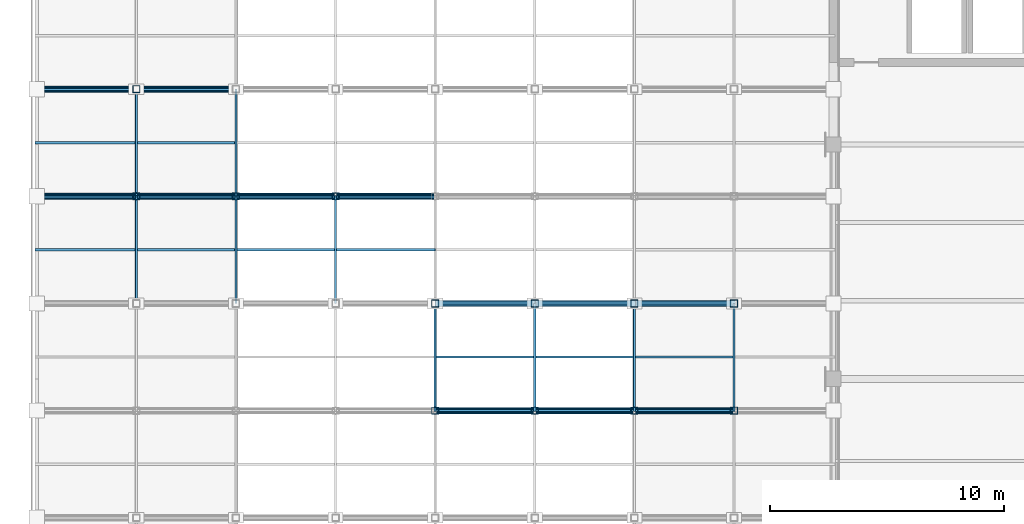
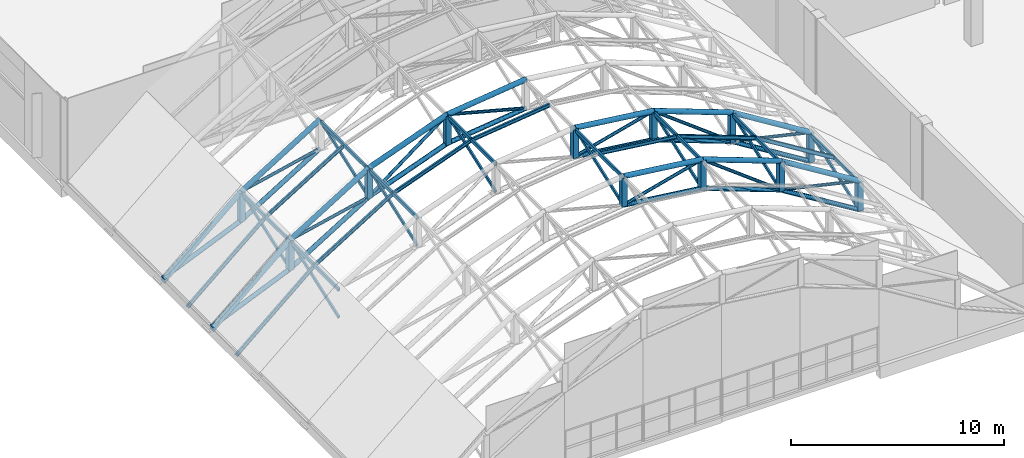
# One storey, part 14 of 86: 75 members.
"""IFC4 building model written with IfcOpenShell, lengths in metres."""

from ifc_helpers import new_model, si_unit, direction, frame, origin, origin_2d, place, context, subcontext, project, spatial, hollow_rectangle, hollow_circle, i_section, extrude, material, material_profile, profile_set, type_object, element, save


model = new_model("IFC4")

# Units and contexts
model_context = context("Model", 3, precision=1e-05, world=origin(), true_north=direction((0.0, 1.0)))
body_context = subcontext(model_context, "Body", "Model", "MODEL_VIEW")
ifc_project = project(units=[si_unit("LENGTHUNIT", "METRE"), si_unit("AREAUNIT", "SQUARE_METRE"), si_unit("VOLUMEUNIT", "CUBIC_METRE"), si_unit("PLANEANGLEUNIT", "RADIAN"), si_unit("MASSUNIT", "GRAM", prefix="KILO")], contexts=[model_context])

# Site, building, storey
site_placement = place(None, origin())
site = spatial("IfcSite", under=ifc_project, at=site_placement, CompositionType="ELEMENT")
building_placement = place(site_placement, origin())
building = spatial("IfcBuilding", under=site, at=building_placement, Name="Solvikara Media Centre", CompositionType="ELEMENT")
storey_placement = place(building_placement, frame((0.0, 0.0, 15.0)))
storey = spatial("IfcBuildingStorey", under=building, at=storey_placement, Name="L03", CompositionType="ELEMENT", Elevation=15.0)

# Members
ifc_material = material(Name="Steel S355JR", Category="steel")
ifc_material_profile_1 = material_profile(ifc_material, hollow_circle(Radius=0.136474609375, WallThickness=0.010009765625, at=origin_2d()), Name="CHS 273x10")
ifc_profile_set_1 = profile_set([ifc_material_profile_1], Name="Steel S355JR")
member_type_1 = type_object("IfcMemberType", Name="MB-03", PredefinedType="CHORD", material=ifc_profile_set_1)
member_1_placement = place(storey_placement, frame((17.0, 9.14306640625, 8.10498046875), z_axis=(0.992459240716, 0.0, -0.122575101536), x_axis=(0.0, 1.0, 0.0)))
element("IfcMember", 1, at=member_1_placement, inside=storey, type_object=member_type_1, Name="Space Frame Vault Chord GC-TC-02-04", PredefinedType="CHORD", context=body_context, shape_type="SweptSolid", body=[
    extrude(hollow_circle(Radius=0.136474609375, WallThickness=0.010009765625, at=origin_2d()), origin(), (0.0, 0.0, 1.0), 4.2822265625),
])
member_2_placement = place(storey_placement, frame((21.25, 9.14306640625, 7.580078125), z_axis=(0.937668166589, 0.0, -0.347531882516), x_axis=(0.0, 1.0, 0.0)))
element("IfcMember", 2, at=member_2_placement, inside=storey, type_object=member_type_1, Name="Space Frame Vault Chord GC-TC-02-05", PredefinedType="CHORD", context=body_context, shape_type="SweptSolid", body=[
    extrude(hollow_circle(Radius=0.136474609375, WallThickness=0.010009765625, at=origin_2d()), origin(), (0.0, 0.0, 1.0), 4.532470703125),
])
member_3_placement = place(storey_placement, frame((25.5, 9.14306640625, 6.0048828125), z_axis=(0.850797997359, 0.0, -0.525492880722), x_axis=(0.0, 1.0, 0.0)))
element("IfcMember", 3, at=member_3_placement, inside=storey, type_object=member_type_1, Name="Space Frame Vault Chord GC-TC-02-06", PredefinedType="CHORD", context=body_context, shape_type="SweptSolid", body=[
    extrude(hollow_circle(Radius=0.136474609375, WallThickness=0.010009765625, at=origin_2d()), origin(), (0.0, 0.0, 1.0), 4.995361328125),
])
member_4_placement = place(storey_placement, frame((17.0, 13.714111328125, 8.10498046875), z_axis=(0.992459240716, 0.0, -0.122575101536), x_axis=(0.0, 1.0, 0.0)))
element("IfcMember", 4, at=member_4_placement, inside=storey, type_object=member_type_1, Name="Space Frame Vault Chord GC-TC-03-04", PredefinedType="CHORD", context=body_context, shape_type="SweptSolid", body=[
    extrude(hollow_circle(Radius=0.136474609375, WallThickness=0.010009765625, at=origin_2d()), origin(), (0.0, 0.0, 1.0), 4.2822265625),
])
member_5_placement = place(storey_placement, frame((21.25, 13.714111328125, 7.580078125), z_axis=(0.937668166589, 0.0, -0.347531882516), x_axis=(0.0, 1.0, 0.0)))
element("IfcMember", 5, at=member_5_placement, inside=storey, type_object=member_type_1, Name="Space Frame Vault Chord GC-TC-03-05", PredefinedType="CHORD", context=body_context, shape_type="SweptSolid", body=[
    extrude(hollow_circle(Radius=0.136474609375, WallThickness=0.010009765625, at=origin_2d()), origin(), (0.0, 0.0, 1.0), 4.532470703125),
])
member_6_placement = place(storey_placement, frame((25.5, 13.714111328125, 6.0048828125), z_axis=(0.850797997359, 0.0, -0.525492880722), x_axis=(0.0, 1.0, 0.0)))
element("IfcMember", 6, at=member_6_placement, inside=storey, type_object=member_type_1, Name="Space Frame Vault Chord GC-TC-03-06", PredefinedType="CHORD", context=body_context, shape_type="SweptSolid", body=[
    extrude(hollow_circle(Radius=0.136474609375, WallThickness=0.010009765625, at=origin_2d()), origin(), (0.0, 0.0, 1.0), 4.995361328125),
])
member_7_placement = place(storey_placement, frame((0.0, 18.285888671875, -0.294921875), z_axis=(0.756439869263, 0.0, 0.654063241736), x_axis=(0.0, 1.0, 0.0)))
element("IfcMember", 7, at=member_7_placement, inside=storey, type_object=member_type_1, Name="Space Frame Vault Chord GC-TC-04-00", PredefinedType="CHORD", context=body_context, shape_type="SweptSolid", body=[
    extrude(hollow_circle(Radius=0.136474609375, WallThickness=0.010009765625, at=origin_2d()), origin(), (0.0, 0.0, 1.0), 5.618408203125),
])
member_8_placement = place(storey_placement, frame((4.25, 18.285888671875, 3.3798828125), z_axis=(0.850797997359, 0.0, 0.525492880722), x_axis=(0.0, 1.0, 0.0)))
element("IfcMember", 8, at=member_8_placement, inside=storey, type_object=member_type_1, Name="Space Frame Vault Chord GC-TC-04-01", PredefinedType="CHORD", context=body_context, shape_type="SweptSolid", body=[
    extrude(hollow_circle(Radius=0.136474609375, WallThickness=0.010009765625, at=origin_2d()), origin(), (0.0, 0.0, 1.0), 4.995361328125),
])
member_9_placement = place(storey_placement, frame((8.5, 18.285888671875, 6.0048828125), z_axis=(0.937668166589, 0.0, 0.347531882516), x_axis=(0.0, 1.0, 0.0)))
element("IfcMember", 9, at=member_9_placement, inside=storey, type_object=member_type_1, Name="Space Frame Vault Chord GC-TC-04-02", PredefinedType="CHORD", context=body_context, shape_type="SweptSolid", body=[
    extrude(hollow_circle(Radius=0.136474609375, WallThickness=0.010009765625, at=origin_2d()), origin(), (0.0, 0.0, 1.0), 4.532470703125),
])
member_10_placement = place(storey_placement, frame((12.75, 18.285888671875, 7.580078125), z_axis=(0.992459240716, 0.0, 0.122575101536), x_axis=(0.0, 1.0, 0.0)))
element("IfcMember", 10, at=member_10_placement, inside=storey, type_object=member_type_1, Name="Space Frame Vault Chord GC-TC-04-03", PredefinedType="CHORD", context=body_context, shape_type="SweptSolid", body=[
    extrude(hollow_circle(Radius=0.136474609375, WallThickness=0.010009765625, at=origin_2d()), origin(), (0.0, 0.0, 1.0), 4.2822265625),
])
member_11_placement = place(storey_placement, frame((0.0, 22.85693359375, -0.294921875), z_axis=(0.756439869263, 0.0, 0.654063241736), x_axis=(0.0, 1.0, 0.0)))
element("IfcMember", 11, at=member_11_placement, inside=storey, type_object=member_type_1, Name="Space Frame Vault Chord GC-TC-05-00", PredefinedType="CHORD", context=body_context, shape_type="SweptSolid", body=[
    extrude(hollow_circle(Radius=0.136474609375, WallThickness=0.010009765625, at=origin_2d()), origin(), (0.0, 0.0, 1.0), 5.618408203125),
])
member_12_placement = place(storey_placement, frame((4.25, 22.85693359375, 3.3798828125), z_axis=(0.850797997359, 0.0, 0.525492880722), x_axis=(0.0, 1.0, 0.0)))
element("IfcMember", 12, at=member_12_placement, inside=storey, type_object=member_type_1, Name="Space Frame Vault Chord GC-TC-05-01", PredefinedType="CHORD", context=body_context, shape_type="SweptSolid", body=[
    extrude(hollow_circle(Radius=0.136474609375, WallThickness=0.010009765625, at=origin_2d()), origin(), (0.0, 0.0, 1.0), 4.995361328125),
])
ifc_material_profile_2 = material_profile(ifc_material, hollow_circle(Radius=0.122314453125, WallThickness=0.010009765625, at=origin_2d()), Name="CHS 244.5x10")
ifc_profile_set_2 = profile_set([ifc_material_profile_2], Name="Steel S355JR")
member_type_2 = type_object("IfcMemberType", Name="MB-04", PredefinedType="CHORD", material=ifc_profile_set_2)
member_13_placement = place(storey_placement, frame((17.0, 9.14306640625, 6.455078125), z_axis=(0.992452303661, 0.0, -0.122631256042), x_axis=(0.0, 1.0, 0.0)))
element("IfcMember", 13, at=member_13_placement, inside=storey, type_object=member_type_2, Name="GC-BC-02-04", PredefinedType="CHORD", context=body_context, shape_type="SweptSolid", body=[
    extrude(hollow_circle(Radius=0.122314453125, WallThickness=0.010009765625, at=origin_2d()), origin(), (0.0, 0.0, 1.0), 4.2822265625),
])
member_14_placement = place(storey_placement, frame((21.25, 9.14306640625, 5.929931640625), z_axis=(0.93768571843, 0.0, -0.34748452261), x_axis=(0.0, 1.0, 0.0)))
element("IfcMember", 14, at=member_14_placement, inside=storey, type_object=member_type_2, Name="GC-BC-02-05", PredefinedType="CHORD", context=body_context, shape_type="SweptSolid", body=[
    extrude(hollow_circle(Radius=0.122314453125, WallThickness=0.010009765625, at=origin_2d()), origin(), (0.0, 0.0, 1.0), 4.532470703125),
])
member_15_placement = place(storey_placement, frame((25.5, 9.14306640625, 4.35498046875), z_axis=(0.850797997359, 0.0, -0.525492880722), x_axis=(0.0, 1.0, 0.0)))
element("IfcMember", 15, at=member_15_placement, inside=storey, type_object=member_type_2, Name="GC-BC-02-06", PredefinedType="CHORD", context=body_context, shape_type="SweptSolid", body=[
    extrude(hollow_circle(Radius=0.122314453125, WallThickness=0.010009765625, at=origin_2d()), origin(), (0.0, 0.0, 1.0), 4.995361328125),
])
member_16_placement = place(storey_placement, frame((17.0, 13.714111328125, 6.455078125), z_axis=(0.992452303661, 0.0, -0.122631256042), x_axis=(0.0, 1.0, 0.0)))
element("IfcMember", 16, at=member_16_placement, inside=storey, type_object=member_type_2, Name="GC-BC-03-04", PredefinedType="CHORD", context=body_context, shape_type="SweptSolid", body=[
    extrude(hollow_circle(Radius=0.122314453125, WallThickness=0.010009765625, at=origin_2d()), origin(), (0.0, 0.0, 1.0), 4.2822265625),
])
member_17_placement = place(storey_placement, frame((21.25, 13.714111328125, 5.929931640625), z_axis=(0.93768571843, 0.0, -0.34748452261), x_axis=(0.0, 1.0, 0.0)))
element("IfcMember", 17, at=member_17_placement, inside=storey, type_object=member_type_2, Name="GC-BC-03-05", PredefinedType="CHORD", context=body_context, shape_type="SweptSolid", body=[
    extrude(hollow_circle(Radius=0.122314453125, WallThickness=0.010009765625, at=origin_2d()), origin(), (0.0, 0.0, 1.0), 4.532470703125),
])
member_18_placement = place(storey_placement, frame((25.5, 13.714111328125, 4.35498046875), z_axis=(0.850797997359, 0.0, -0.525492880722), x_axis=(0.0, 1.0, 0.0)))
element("IfcMember", 18, at=member_18_placement, inside=storey, type_object=member_type_2, Name="GC-BC-03-06", PredefinedType="CHORD", context=body_context, shape_type="SweptSolid", body=[
    extrude(hollow_circle(Radius=0.122314453125, WallThickness=0.010009765625, at=origin_2d()), origin(), (0.0, 0.0, 1.0), 4.995361328125),
])
member_19_placement = place(storey_placement, frame((0.0, 18.285888671875, -0.10009765625), z_axis=(0.918466874624, 0.0, 0.395497914303), x_axis=(0.0, 1.0, 0.0)))
element("IfcMember", 19, at=member_19_placement, inside=storey, type_object=member_type_2, Name="GC-BC-04-00", PredefinedType="CHORD", context=body_context, shape_type="SweptSolid", body=[
    extrude(hollow_circle(Radius=0.122314453125, WallThickness=0.010009765625, at=origin_2d()), origin(), (0.0, 0.0, 1.0), 4.627197265625),
])
member_20_placement = place(storey_placement, frame((4.25, 18.285888671875, 1.72998046875), z_axis=(0.850797997359, 0.0, 0.525492880722), x_axis=(0.0, 1.0, 0.0)))
element("IfcMember", 20, at=member_20_placement, inside=storey, type_object=member_type_2, Name="GC-BC-04-01", PredefinedType="CHORD", context=body_context, shape_type="SweptSolid", body=[
    extrude(hollow_circle(Radius=0.122314453125, WallThickness=0.010009765625, at=origin_2d()), origin(), (0.0, 0.0, 1.0), 4.995361328125),
])
member_21_placement = place(storey_placement, frame((8.5, 18.285888671875, 4.35498046875), z_axis=(0.93768571843, 0.0, 0.34748452261), x_axis=(0.0, 1.0, 0.0)))
element("IfcMember", 21, at=member_21_placement, inside=storey, type_object=member_type_2, Name="GC-BC-04-02", PredefinedType="CHORD", context=body_context, shape_type="SweptSolid", body=[
    extrude(hollow_circle(Radius=0.122314453125, WallThickness=0.010009765625, at=origin_2d()), origin(), (0.0, 0.0, 1.0), 4.532470703125),
])
member_22_placement = place(storey_placement, frame((12.75, 18.285888671875, 5.929931640625), z_axis=(0.992452303661, 0.0, 0.122631256042), x_axis=(0.0, 1.0, 0.0)))
element("IfcMember", 22, at=member_22_placement, inside=storey, type_object=member_type_2, Name="GC-BC-04-03", PredefinedType="CHORD", context=body_context, shape_type="SweptSolid", body=[
    extrude(hollow_circle(Radius=0.122314453125, WallThickness=0.010009765625, at=origin_2d()), origin(), (0.0, 0.0, 1.0), 4.2822265625),
])
member_23_placement = place(storey_placement, frame((0.0, 22.85693359375, -0.10009765625), z_axis=(0.918466874624, 0.0, 0.395497914303), x_axis=(0.0, 1.0, 0.0)))
element("IfcMember", 23, at=member_23_placement, inside=storey, type_object=member_type_2, Name="GC-BC-05-00", PredefinedType="CHORD", context=body_context, shape_type="SweptSolid", body=[
    extrude(hollow_circle(Radius=0.122314453125, WallThickness=0.010009765625, at=origin_2d()), origin(), (0.0, 0.0, 1.0), 4.627197265625),
])
member_24_placement = place(storey_placement, frame((4.25, 22.85693359375, 1.72998046875), z_axis=(0.850797997359, 0.0, 0.525492880722), x_axis=(0.0, 1.0, 0.0)))
element("IfcMember", 24, at=member_24_placement, inside=storey, type_object=member_type_2, Name="GC-BC-05-01", PredefinedType="CHORD", context=body_context, shape_type="SweptSolid", body=[
    extrude(hollow_circle(Radius=0.122314453125, WallThickness=0.010009765625, at=origin_2d()), origin(), (0.0, 0.0, 1.0), 4.995361328125),
])
ifc_material_profile_3 = material_profile(ifc_material, hollow_circle(Radius=0.084228515625, WallThickness=0.007080078125, at=origin_2d()), Name="CHS 168.3x7.1")
ifc_profile_set_3 = profile_set([ifc_material_profile_3], Name="Steel S355JR")
member_type_3 = type_object("IfcMemberType", Name="MB-07", PredefinedType="BRACE", material=ifc_profile_set_3)
member_25_placement = place(storey_placement, frame((17.0, 9.14306640625, 6.455078125), z_axis=(0.966705227862, 0.0, 0.255892560316), x_axis=(0.0, 1.0, 0.0)))
element("IfcMember", 25, at=member_25_placement, inside=storey, type_object=member_type_3, Name="GC-DG-02-04", PredefinedType="BRACE", context=body_context, shape_type="SweptSolid", body=[
    extrude(hollow_circle(Radius=0.084228515625, WallThickness=0.007080078125, at=origin_2d()), origin(), (0.0, 0.0, 1.0), 4.396484375),
])
member_26_placement = place(storey_placement, frame((21.25, 9.14306640625, 7.580078125), z_axis=(0.796604645228, 0.0, -0.604500652772), x_axis=(0.0, 1.0, 0.0)))
element("IfcMember", 26, at=member_26_placement, inside=storey, type_object=member_type_3, Name="GC-DG-02-05", PredefinedType="BRACE", context=body_context, shape_type="SweptSolid", body=[
    extrude(hollow_circle(Radius=0.084228515625, WallThickness=0.007080078125, at=origin_2d()), origin(), (0.0, 0.0, 1.0), 5.335205078125),
])
member_27_placement = place(storey_placement, frame((25.5, 9.14306640625, 4.35498046875), z_axis=(0.974675396372, 0.0, -0.223624398731), x_axis=(0.0, 1.0, 0.0)))
element("IfcMember", 27, at=member_27_placement, inside=storey, type_object=member_type_3, Name="GC-DG-02-06", PredefinedType="BRACE", context=body_context, shape_type="SweptSolid", body=[
    extrude(hollow_circle(Radius=0.084228515625, WallThickness=0.007080078125, at=origin_2d()), origin(), (0.0, 0.0, 1.0), 4.3603515625),
])
member_28_placement = place(storey_placement, frame((17.0, 13.714111328125, 6.455078125), z_axis=(0.966705227862, 0.0, 0.255892560316), x_axis=(0.0, 1.0, 0.0)))
element("IfcMember", 28, at=member_28_placement, inside=storey, type_object=member_type_3, Name="GC-DG-03-04", PredefinedType="BRACE", context=body_context, shape_type="SweptSolid", body=[
    extrude(hollow_circle(Radius=0.084228515625, WallThickness=0.007080078125, at=origin_2d()), origin(), (0.0, 0.0, 1.0), 4.396484375),
])
member_29_placement = place(storey_placement, frame((21.25, 13.714111328125, 7.580078125), z_axis=(0.796604645228, 0.0, -0.604500652772), x_axis=(0.0, 1.0, 0.0)))
element("IfcMember", 29, at=member_29_placement, inside=storey, type_object=member_type_3, Name="GC-DG-03-05", PredefinedType="BRACE", context=body_context, shape_type="SweptSolid", body=[
    extrude(hollow_circle(Radius=0.084228515625, WallThickness=0.007080078125, at=origin_2d()), origin(), (0.0, 0.0, 1.0), 5.335205078125),
])
member_30_placement = place(storey_placement, frame((25.5, 13.714111328125, 4.35498046875), z_axis=(0.974675396372, 0.0, -0.223624398731), x_axis=(0.0, 1.0, 0.0)))
element("IfcMember", 30, at=member_30_placement, inside=storey, type_object=member_type_3, Name="GC-DG-03-06", PredefinedType="BRACE", context=body_context, shape_type="SweptSolid", body=[
    extrude(hollow_circle(Radius=0.084228515625, WallThickness=0.007080078125, at=origin_2d()), origin(), (0.0, 0.0, 1.0), 4.3603515625),
])
member_31_placement = place(storey_placement, frame((0.0, 18.285888671875, -0.10009765625), z_axis=(0.773715650361, 0.0, 0.633533023911), x_axis=(0.0, 1.0, 0.0)))
element("IfcMember", 31, at=member_31_placement, inside=storey, type_object=member_type_3, Name="GC-DG-04-00", PredefinedType="BRACE", context=body_context, shape_type="SweptSolid", body=[
    extrude(hollow_circle(Radius=0.084228515625, WallThickness=0.007080078125, at=origin_2d()), origin(), (0.0, 0.0, 1.0), 5.492919921875),
])
member_32_placement = place(storey_placement, frame((4.25, 18.285888671875, 3.3798828125), z_axis=(0.974675396372, 0.0, 0.223624398731), x_axis=(0.0, 1.0, 0.0)))
element("IfcMember", 32, at=member_32_placement, inside=storey, type_object=member_type_3, Name="GC-DG-04-01", PredefinedType="BRACE", context=body_context, shape_type="SweptSolid", body=[
    extrude(hollow_circle(Radius=0.084228515625, WallThickness=0.007080078125, at=origin_2d()), origin(), (0.0, 0.0, 1.0), 4.3603515625),
])
member_33_placement = place(storey_placement, frame((8.5, 18.285888671875, 4.35498046875), z_axis=(0.796604645228, 0.0, 0.604500652772), x_axis=(0.0, 1.0, 0.0)))
element("IfcMember", 33, at=member_33_placement, inside=storey, type_object=member_type_3, Name="GC-DG-04-02", PredefinedType="BRACE", context=body_context, shape_type="SweptSolid", body=[
    extrude(hollow_circle(Radius=0.084228515625, WallThickness=0.007080078125, at=origin_2d()), origin(), (0.0, 0.0, 1.0), 5.335205078125),
])
member_34_placement = place(storey_placement, frame((12.75, 18.285888671875, 7.580078125), z_axis=(0.966705227862, 0.0, -0.255892560316), x_axis=(0.0, 1.0, 0.0)))
element("IfcMember", 34, at=member_34_placement, inside=storey, type_object=member_type_3, Name="GC-DG-04-03", PredefinedType="BRACE", context=body_context, shape_type="SweptSolid", body=[
    extrude(hollow_circle(Radius=0.084228515625, WallThickness=0.007080078125, at=origin_2d()), origin(), (0.0, 0.0, 1.0), 4.396484375),
])
member_35_placement = place(storey_placement, frame((0.0, 22.85693359375, -0.10009765625), z_axis=(0.773715650361, 0.0, 0.633533023911), x_axis=(0.0, 1.0, 0.0)))
element("IfcMember", 35, at=member_35_placement, inside=storey, type_object=member_type_3, Name="GC-DG-05-00", PredefinedType="BRACE", context=body_context, shape_type="SweptSolid", body=[
    extrude(hollow_circle(Radius=0.084228515625, WallThickness=0.007080078125, at=origin_2d()), origin(), (0.0, 0.0, 1.0), 5.492919921875),
])
member_36_placement = place(storey_placement, frame((4.25, 22.85693359375, 3.3798828125), z_axis=(0.974675396372, 0.0, 0.223624398731), x_axis=(0.0, 1.0, 0.0)))
element("IfcMember", 36, at=member_36_placement, inside=storey, type_object=member_type_3, Name="GC-DG-05-01", PredefinedType="BRACE", context=body_context, shape_type="SweptSolid", body=[
    extrude(hollow_circle(Radius=0.084228515625, WallThickness=0.007080078125, at=origin_2d()), origin(), (0.0, 0.0, 1.0), 4.3603515625),
])
ifc_material_profile_4 = material_profile(ifc_material, hollow_rectangle(XDim=0.300048828125, YDim=0.300048828125, WallThickness=0.012451171875, at=origin_2d()), Name="RHS 300x300x12.5")
ifc_profile_set_4 = profile_set([ifc_material_profile_4], Name="Steel S355JR")
member_type_4 = type_object("IfcMemberType", Name="MB-11", PredefinedType="CHORD", material=ifc_profile_set_4)
member_37_placement = place(storey_placement, frame((17.0, 9.14306640625, 6.455078125), z_axis=(0.0, 0.0, 1.0), x_axis=(1.0, 0.0, 0.0)))
element("IfcMember", 37, at=member_37_placement, inside=storey, type_object=member_type_4, Name="GC-VT-02-04", PredefinedType="CHORD", context=body_context, shape_type="SweptSolid", body=[
    extrude(hollow_rectangle(XDim=0.300048828125, YDim=0.300048828125, WallThickness=0.012451171875, at=origin_2d()), origin(), (0.0, 0.0, 1.0), 1.64990234375),
])
member_38_placement = place(storey_placement, frame((21.25, 9.14306640625, 5.929931640625), z_axis=(0.0, 0.0, 1.0), x_axis=(1.0, 0.0, 0.0)))
element("IfcMember", 38, at=member_38_placement, inside=storey, type_object=member_type_4, Name="GC-VT-02-05", PredefinedType="CHORD", context=body_context, shape_type="SweptSolid", body=[
    extrude(hollow_rectangle(XDim=0.300048828125, YDim=0.300048828125, WallThickness=0.012451171875, at=origin_2d()), origin(), (0.0, 0.0, 1.0), 1.650146484375),
])
for number, where, z_axis, x_axis, name in (
    (39, (25.5, 9.14306640625, 4.35498046875), (0.0, 0.0, 1.0), (1.0, 0.0, 0.0), "GC-VT-02-06"),
    (40, (29.75, 9.14306640625, 1.72998046875), (0.0, 0.0, 1.0), (1.0, 0.0, 0.0), "GC-VT-02-07"),
    (41, (17.0, 13.714111328125, 6.455078125), (0.0, 0.0, 1.0), (1.0, 0.0, 0.0), "GC-VT-03-04"),
):
    element("IfcMember", number, at=place(storey_placement, frame(where, z_axis=z_axis, x_axis=x_axis)), inside=storey, type_object=member_type_4, Name=name, PredefinedType="CHORD", context=body_context, shape_type="SweptSolid", body=[
        extrude(hollow_rectangle(XDim=0.300048828125, YDim=0.300048828125, WallThickness=0.012451171875, at=origin_2d()), origin(), (0.0, 0.0, 1.0), 1.64990234375),
    ])
member_39_placement = place(storey_placement, frame((21.25, 13.714111328125, 5.929931640625), z_axis=(0.0, 0.0, 1.0), x_axis=(1.0, 0.0, 0.0)))
element("IfcMember", 42, at=member_39_placement, inside=storey, type_object=member_type_4, Name="GC-VT-03-05", PredefinedType="CHORD", context=body_context, shape_type="SweptSolid", body=[
    extrude(hollow_rectangle(XDim=0.300048828125, YDim=0.300048828125, WallThickness=0.012451171875, at=origin_2d()), origin(), (0.0, 0.0, 1.0), 1.650146484375),
])
for number, where, z_axis, x_axis, name in (
    (43, (25.5, 13.714111328125, 4.35498046875), (0.0, 0.0, 1.0), (1.0, 0.0, 0.0), "GC-VT-03-06"),
    (44, (29.75, 13.714111328125, 1.72998046875), (0.0, 0.0, 1.0), (1.0, 0.0, 0.0), "GC-VT-03-07"),
    (45, (4.25, 18.285888671875, 1.72998046875), (0.0, 0.0, 1.0), (1.0, 0.0, 0.0), "GC-VT-04-01"),
    (46, (8.5, 18.285888671875, 4.35498046875), (0.0, 0.0, 1.0), (1.0, 0.0, 0.0), "GC-VT-04-02"),
):
    element("IfcMember", number, at=place(storey_placement, frame(where, z_axis=z_axis, x_axis=x_axis)), inside=storey, type_object=member_type_4, Name=name, PredefinedType="CHORD", context=body_context, shape_type="SweptSolid", body=[
        extrude(hollow_rectangle(XDim=0.300048828125, YDim=0.300048828125, WallThickness=0.012451171875, at=origin_2d()), origin(), (0.0, 0.0, 1.0), 1.64990234375),
    ])
member_40_placement = place(storey_placement, frame((12.75, 18.285888671875, 5.929931640625), z_axis=(0.0, 0.0, 1.0), x_axis=(1.0, 0.0, 0.0)))
element("IfcMember", 47, at=member_40_placement, inside=storey, type_object=member_type_4, Name="GC-VT-04-03", PredefinedType="CHORD", context=body_context, shape_type="SweptSolid", body=[
    extrude(hollow_rectangle(XDim=0.300048828125, YDim=0.300048828125, WallThickness=0.012451171875, at=origin_2d()), origin(), (0.0, 0.0, 1.0), 1.650146484375),
])
member_41_placement = place(storey_placement, frame((4.25, 22.85693359375, 1.72998046875), z_axis=(0.0, 0.0, 1.0), x_axis=(1.0, 0.0, 0.0)))
element("IfcMember", 48, at=member_41_placement, inside=storey, type_object=member_type_4, Name="GC-VT-05-01", PredefinedType="CHORD", context=body_context, shape_type="SweptSolid", body=[
    extrude(hollow_rectangle(XDim=0.300048828125, YDim=0.300048828125, WallThickness=0.012451171875, at=origin_2d()), origin(), (0.0, 0.0, 1.0), 1.64990234375),
])
ifc_material_profile_5 = material_profile(ifc_material, hollow_rectangle(XDim=0.10009765625, YDim=0.199951171875, WallThickness=0.00634765625, at=origin_2d()), Name="RHS 200x100x6.3")
ifc_profile_set_5 = profile_set([ifc_material_profile_5], Name="Steel S355JR")
member_type_5 = type_object("IfcMemberType", Name="MB-17", PredefinedType="PURLIN", material=ifc_profile_set_5)
for number, where, z_axis, x_axis, name in (
    (49, (17.0, 9.14306640625, 8.0400390625), (0.0, 1.0, 0.0), (-1.0, 0.0, 0.0), "GC-PRL-02-04"),
    (50, (21.25, 9.14306640625, 7.514892578125), (0.0, 1.0, 0.0), (-1.0, 0.0, 0.0), "GC-PRL-02-05"),
    (51, (25.5, 9.14306640625, 5.93994140625), (0.0, 1.0, 0.0), (-1.0, 0.0, 0.0), "GC-PRL-02-06"),
    (52, (29.75, 9.14306640625, 3.31494140625), (0.0, 1.0, 0.0), (-1.0, 0.0, 0.0), "GC-PRL-02-07"),
):
    element("IfcMember", number, at=place(storey_placement, frame(where, z_axis=z_axis, x_axis=x_axis)), inside=storey, type_object=member_type_5, Name=name, PredefinedType="PURLIN", context=body_context, shape_type="SweptSolid", body=[
        extrude(hollow_rectangle(XDim=0.10009765625, YDim=0.199951171875, WallThickness=0.00634765625, at=origin_2d()), origin(), (0.0, 0.0, 1.0), 4.571044921875),
    ])
for number, where, z_axis, x_axis, name in (
    (53, (4.25, 13.714111328125, 3.31494140625), (0.0, 1.0, 0.0), (-1.0, 0.0, 0.0), "GC-PRL-03-01"),
    (54, (8.5, 13.714111328125, 5.93994140625), (0.0, 1.0, 0.0), (-1.0, 0.0, 0.0), "GC-PRL-03-02"),
    (55, (12.75, 13.714111328125, 7.514892578125), (0.0, 1.0, 0.0), (-1.0, 0.0, 0.0), "GC-PRL-03-03"),
):
    element("IfcMember", number, at=place(storey_placement, frame(where, z_axis=z_axis, x_axis=x_axis)), inside=storey, type_object=member_type_5, Name=name, PredefinedType="PURLIN", context=body_context, shape_type="SweptSolid", body=[
        extrude(hollow_rectangle(XDim=0.10009765625, YDim=0.199951171875, WallThickness=0.00634765625, at=origin_2d()), origin(), (0.0, 0.0, 1.0), 4.57177734375),
    ])
for number, where, z_axis, x_axis, name in (
    (56, (4.25, 18.285888671875, 3.31494140625), (0.0, 1.0, 0.0), (-1.0, 0.0, 0.0), "GC-PRL-04-01"),
    (57, (8.5, 18.285888671875, 5.93994140625), (0.0, 1.0, 0.0), (-1.0, 0.0, 0.0), "GC-PRL-04-02"),
):
    element("IfcMember", number, at=place(storey_placement, frame(where, z_axis=z_axis, x_axis=x_axis)), inside=storey, type_object=member_type_5, Name=name, PredefinedType="PURLIN", context=body_context, shape_type="SweptSolid", body=[
        extrude(hollow_rectangle(XDim=0.10009765625, YDim=0.199951171875, WallThickness=0.00634765625, at=origin_2d()), origin(), (0.0, 0.0, 1.0), 4.571044921875),
    ])
ifc_material_profile_6 = material_profile(ifc_material, i_section(OverallWidth=0.10009765625, OverallDepth=0.199951171875, WebThickness=0.005615234375, FlangeThickness=0.008056640625, at=origin_2d()), Name="WF 200x100x5.5x8")
ifc_profile_set_6 = profile_set([ifc_material_profile_6], Name="Steel S355JR")
member_type_6 = type_object("IfcMemberType", Name="MB-21", PredefinedType="PURLIN", material=ifc_profile_set_6)
member_42_placement = place(storey_placement, frame((17.0, 11.427978515625, 8.0400390625), z_axis=(0.992452303661, 0.0, -0.122631256042), x_axis=(0.0, 1.0, 0.0)))
element("IfcMember", 58, at=member_42_placement, inside=storey, type_object=member_type_6, Name="GC-SUB-02-04", PredefinedType="PURLIN", context=body_context, shape_type="SweptSolid", body=[
    extrude(i_section(OverallWidth=0.10009765625, OverallDepth=0.199951171875, WebThickness=0.005615234375, FlangeThickness=0.008056640625, at=origin_2d()), origin(), (0.0, 0.0, 1.0), 4.2822265625),
])
member_43_placement = place(storey_placement, frame((21.25, 11.427978515625, 7.514892578125), z_axis=(0.93768571843, 0.0, -0.34748452261), x_axis=(0.0, 1.0, 0.0)))
element("IfcMember", 59, at=member_43_placement, inside=storey, type_object=member_type_6, Name="GC-SUB-02-05", PredefinedType="PURLIN", context=body_context, shape_type="SweptSolid", body=[
    extrude(i_section(OverallWidth=0.10009765625, OverallDepth=0.199951171875, WebThickness=0.005615234375, FlangeThickness=0.008056640625, at=origin_2d()), origin(), (0.0, 0.0, 1.0), 4.532470703125),
])
member_44_placement = place(storey_placement, frame((25.5, 11.427978515625, 5.93994140625), z_axis=(0.850797997359, 0.0, -0.525492880722), x_axis=(0.0, 1.0, 0.0)))
element("IfcMember", 60, at=member_44_placement, inside=storey, type_object=member_type_6, Name="GC-SUB-02-06", PredefinedType="PURLIN", context=body_context, shape_type="SweptSolid", body=[
    extrude(i_section(OverallWidth=0.10009765625, OverallDepth=0.199951171875, WebThickness=0.005615234375, FlangeThickness=0.008056640625, at=origin_2d()), origin(), (0.0, 0.0, 1.0), 4.995361328125),
])
member_45_placement = place(storey_placement, frame((0.0, 16.0, -0.360107421875), z_axis=(0.756418370394, 0.0, 0.654088104868), x_axis=(0.0, 1.0, 0.0)))
element("IfcMember", 61, at=member_45_placement, inside=storey, type_object=member_type_6, Name="GC-SUB-03-00", PredefinedType="PURLIN", context=body_context, shape_type="SweptSolid", body=[
    extrude(i_section(OverallWidth=0.10009765625, OverallDepth=0.199951171875, WebThickness=0.005615234375, FlangeThickness=0.008056640625, at=origin_2d()), origin(), (0.0, 0.0, 1.0), 5.61865234375),
])
member_46_placement = place(storey_placement, frame((4.25, 16.0, 3.31494140625), z_axis=(0.850797997359, 0.0, 0.525492880722), x_axis=(0.0, 1.0, 0.0)))
element("IfcMember", 62, at=member_46_placement, inside=storey, type_object=member_type_6, Name="GC-SUB-03-01", PredefinedType="PURLIN", context=body_context, shape_type="SweptSolid", body=[
    extrude(i_section(OverallWidth=0.10009765625, OverallDepth=0.199951171875, WebThickness=0.005615234375, FlangeThickness=0.008056640625, at=origin_2d()), origin(), (0.0, 0.0, 1.0), 4.995361328125),
])
member_47_placement = place(storey_placement, frame((8.5, 16.0, 5.93994140625), z_axis=(0.93768571843, 0.0, 0.34748452261), x_axis=(0.0, 1.0, 0.0)))
element("IfcMember", 63, at=member_47_placement, inside=storey, type_object=member_type_6, Name="GC-SUB-03-02", PredefinedType="PURLIN", context=body_context, shape_type="SweptSolid", body=[
    extrude(i_section(OverallWidth=0.10009765625, OverallDepth=0.199951171875, WebThickness=0.005615234375, FlangeThickness=0.008056640625, at=origin_2d()), origin(), (0.0, 0.0, 1.0), 4.532470703125),
])
member_48_placement = place(storey_placement, frame((12.75, 16.0, 7.514892578125), z_axis=(0.992452303661, 0.0, 0.122631256042), x_axis=(0.0, 1.0, 0.0)))
element("IfcMember", 64, at=member_48_placement, inside=storey, type_object=member_type_6, Name="GC-SUB-03-03", PredefinedType="PURLIN", context=body_context, shape_type="SweptSolid", body=[
    extrude(i_section(OverallWidth=0.10009765625, OverallDepth=0.199951171875, WebThickness=0.005615234375, FlangeThickness=0.008056640625, at=origin_2d()), origin(), (0.0, 0.0, 1.0), 4.2822265625),
])
member_49_placement = place(storey_placement, frame((0.0, 20.572021484375, -0.360107421875), z_axis=(0.756418370394, 0.0, 0.654088104868), x_axis=(0.0, 1.0, 0.0)))
element("IfcMember", 65, at=member_49_placement, inside=storey, type_object=member_type_6, Name="GC-SUB-04-00", PredefinedType="PURLIN", context=body_context, shape_type="SweptSolid", body=[
    extrude(i_section(OverallWidth=0.10009765625, OverallDepth=0.199951171875, WebThickness=0.005615234375, FlangeThickness=0.008056640625, at=origin_2d()), origin(), (0.0, 0.0, 1.0), 5.61865234375),
])
member_50_placement = place(storey_placement, frame((4.25, 20.572021484375, 3.31494140625), z_axis=(0.850797997359, 0.0, 0.525492880722), x_axis=(0.0, 1.0, 0.0)))
element("IfcMember", 66, at=member_50_placement, inside=storey, type_object=member_type_6, Name="GC-SUB-04-01", PredefinedType="PURLIN", context=body_context, shape_type="SweptSolid", body=[
    extrude(i_section(OverallWidth=0.10009765625, OverallDepth=0.199951171875, WebThickness=0.005615234375, FlangeThickness=0.008056640625, at=origin_2d()), origin(), (0.0, 0.0, 1.0), 4.995361328125),
])
ifc_material_profile_7 = material_profile(ifc_material, hollow_rectangle(XDim=0.090087890625, YDim=0.169921875, WallThickness=0.0048828125, at=origin_2d()), Name="RHS 170x90x5")
ifc_profile_set_7 = profile_set([ifc_material_profile_7], Name="Steel S355JR")
member_type_7 = type_object("IfcMemberType", Name="MB-26", PredefinedType="PURLIN", material=ifc_profile_set_7)
member_51_placement = place(storey_placement, frame((17.0, 9.14306640625, 6.455078125), z_axis=(0.0, 0.94060337314, 0.339507429134), x_axis=(-1.0, 0.0, 0.0)))
element("IfcMember", 67, at=member_51_placement, inside=storey, type_object=member_type_7, Name="GC-3D-02-04", PredefinedType="PURLIN", context=body_context, shape_type="SweptSolid", body=[
    extrude(hollow_rectangle(XDim=0.090087890625, YDim=0.169921875, WallThickness=0.0048828125, at=origin_2d()), origin(), (0.0, 0.0, 1.0), 4.859619140625),
])
member_52_placement = place(storey_placement, frame((21.25, 9.14306640625, 5.929931640625), z_axis=(0.0, 0.940587329315, 0.339551875172), x_axis=(-1.0, 0.0, 0.0)))
element("IfcMember", 68, at=member_52_placement, inside=storey, type_object=member_type_7, Name="GC-3D-02-05", PredefinedType="PURLIN", context=body_context, shape_type="SweptSolid", body=[
    extrude(hollow_rectangle(XDim=0.090087890625, YDim=0.169921875, WallThickness=0.0048828125, at=origin_2d()), origin(), (0.0, 0.0, 1.0), 4.85986328125),
])
for number, where, z_axis, x_axis, name in (
    (69, (25.5, 9.14306640625, 4.35498046875), (0.0, 0.94060337314, 0.339507429134), (-1.0, 0.0, 0.0), "GC-3D-02-06"),
    (70, (29.75, 9.14306640625, 1.72998046875), (0.0, 0.94060337314, 0.339507429134), (-1.0, 0.0, 0.0), "GC-3D-02-07"),
):
    element("IfcMember", number, at=place(storey_placement, frame(where, z_axis=z_axis, x_axis=x_axis)), inside=storey, type_object=member_type_7, Name=name, PredefinedType="PURLIN", context=body_context, shape_type="SweptSolid", body=[
        extrude(hollow_rectangle(XDim=0.090087890625, YDim=0.169921875, WallThickness=0.0048828125, at=origin_2d()), origin(), (0.0, 0.0, 1.0), 4.859619140625),
    ])
for number, where, z_axis, x_axis, name in (
    (71, (4.25, 13.714111328125, 1.72998046875), (0.0, 0.94062074149, 0.339459306365), (-1.0, 0.0, 0.0), "GC-3D-03-01"),
    (72, (8.5, 13.714111328125, 4.35498046875), (0.0, 0.94062074149, 0.339459306365), (-1.0, 0.0, 0.0), "GC-3D-03-02"),
    (73, (12.75, 13.714111328125, 5.929931640625), (0.0, 0.940604701917, 0.339503747744), (-1.0, 0.0, 0.0), "GC-3D-03-03"),
):
    element("IfcMember", number, at=place(storey_placement, frame(where, z_axis=z_axis, x_axis=x_axis)), inside=storey, type_object=member_type_7, Name=name, PredefinedType="PURLIN", context=body_context, shape_type="SweptSolid", body=[
        extrude(hollow_rectangle(XDim=0.090087890625, YDim=0.169921875, WallThickness=0.0048828125, at=origin_2d()), origin(), (0.0, 0.0, 1.0), 4.8603515625),
    ])
for number, where, z_axis, x_axis, name in (
    (74, (4.25, 18.285888671875, 1.72998046875), (0.0, 0.94060337314, 0.339507429134), (-1.0, 0.0, 0.0), "GC-3D-04-01"),
    (75, (8.5, 18.285888671875, 4.35498046875), (0.0, 0.94060337314, 0.339507429134), (-1.0, 0.0, 0.0), "GC-3D-04-02"),
):
    element("IfcMember", number, at=place(storey_placement, frame(where, z_axis=z_axis, x_axis=x_axis)), inside=storey, type_object=member_type_7, Name=name, PredefinedType="PURLIN", context=body_context, shape_type="SweptSolid", body=[
        extrude(hollow_rectangle(XDim=0.090087890625, YDim=0.169921875, WallThickness=0.0048828125, at=origin_2d()), origin(), (0.0, 0.0, 1.0), 4.859619140625),
    ])

save(model, "model.ifc")
